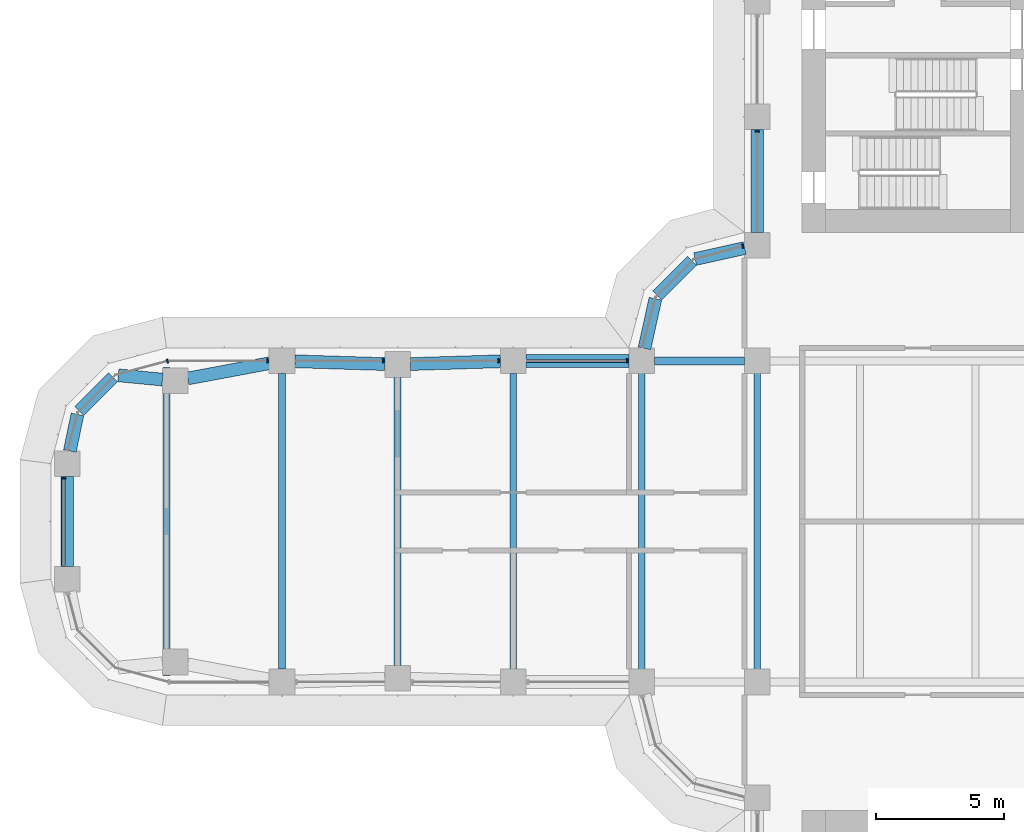
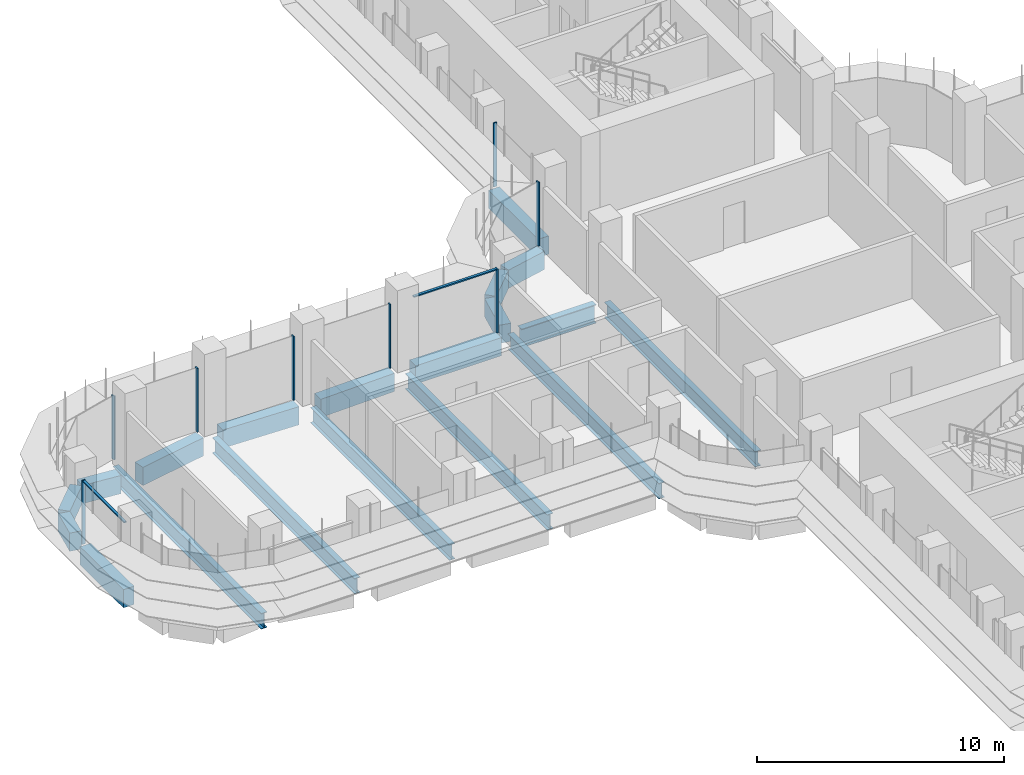
# One storey, part 6 of 23: 19 beams, 10 members, 5 elements without a shape of their own.
"""IFC4 building model written with IfcOpenShell, lengths in metres."""

import ifcopenshell
import ifcopenshell.guid

model = None  # the IFC model being written
_history = None  # IfcOwnerHistory: only IFC2X3 demands one
_inside = {}  # id of a spatial element -> (the spatial element, [elements in it])
_under = {}  # id of a project, library or spatial element -> (it, [spatial elements below it])
_declared = {}  # id of a project -> (the project, [libraries it declares])
_typed = {}  # id of a type object -> (the type object, [elements of that type])
_made_of = {}  # id of a material, layer set ... -> (it, [elements and type objects made of it])


def new_model(schema):
    """Start an empty IFC model of exactly this schema.

    Asked for "IFC4X3", IfcOpenShell would pick the latest addendum, in which some entities
    have other attributes; the version numbers below select the first issue.
    IFC2X3 requires an IfcOwnerHistory on every rooted entity: one is made here for all.
    """
    global model, _history
    if schema == "IFC4X3":
        model = ifcopenshell.file(schema_version=(4, 3, 0, 0))
    else:
        model = ifcopenshell.file(schema=schema)
    _inside.clear()
    _under.clear()
    _declared.clear()
    _typed.clear()
    _made_of.clear()
    _history = None
    if model.schema == "IFC2X3":
        org = make("IfcOrganization", Name="unknown")
        user = make(
            "IfcPersonAndOrganization",
            ThePerson=make("IfcPerson", FamilyName="unknown"),
            TheOrganization=org,
        )
        app = make(
            "IfcApplication",
            ApplicationDeveloper=org,
            Version="unknown",
            ApplicationFullName="unknown",
            ApplicationIdentifier="unknown",
        )
        _history = make(
            "IfcOwnerHistory",
            OwningUser=user,
            OwningApplication=app,
            ChangeAction="ADDED",
            CreationDate=0,
        )
    return model


def make(cls, **values):
    """One entity of the class cls with the attributes given. An attribute that is None is left unset."""
    return model.create_entity(
        cls, **{name: value for name, value in values.items() if value is not None}
    )


def rooted(cls, **values):
    """An entity with a GlobalId (a new one), such as an element, a storey or a relation."""
    return make(cls, GlobalId=ifcopenshell.guid.new(), OwnerHistory=_history, **values)


def si_unit(unit_type, name, prefix=None):
    """IfcSIUnit, for example si_unit("LENGTHUNIT", "METRE", prefix="MILLI")."""
    return make("IfcSIUnit", UnitType=unit_type, Prefix=prefix, Name=name)


def assignment(units):
    """IfcUnitAssignment: the units of a project."""
    return None if units is None else make("IfcUnitAssignment", Units=units)


def point(xyz):
    """IfcCartesianPoint."""
    return None if xyz is None else make("IfcCartesianPoint", Coordinates=xyz)


def direction(xyz):
    """IfcDirection."""
    return None if xyz is None else make("IfcDirection", DirectionRatios=xyz)


def frame(location, z_axis=None, x_axis=None):
    """IfcAxis2Placement3D, a coordinate frame: its origin and axes. An axis left out is left unset."""
    return make(
        "IfcAxis2Placement3D",
        Location=point(location),
        Axis=direction(z_axis),
        RefDirection=direction(x_axis),
    )


def frame_2d(location, x_axis=None):
    """IfcAxis2Placement2D, a coordinate frame in the plane: its origin and x axis."""
    return make(
        "IfcAxis2Placement2D", Location=point(location), RefDirection=direction(x_axis)
    )


def origin():
    """The frame at (0, 0, 0) with its axes left unset."""
    return frame((0.0, 0.0, 0.0))


def origin_2d():
    """The frame at (0, 0) in the plane with its x axis left unset."""
    return frame_2d((0.0, 0.0))


def place(relative_to, where):
    """IfcLocalPlacement: puts the frame where relative to a parent placement (None: the world)."""
    return make(
        "IfcLocalPlacement", PlacementRelTo=relative_to, RelativePlacement=where
    )


def context(
    kind, dimensions, precision=None, world=None, true_north=None, identifier=None
):
    """IfcGeometricRepresentationContext, for example the 3D "Model" context."""
    return make(
        "IfcGeometricRepresentationContext",
        ContextIdentifier=identifier,
        ContextType=kind,
        CoordinateSpaceDimension=dimensions,
        Precision=precision,
        WorldCoordinateSystem=world,
        TrueNorth=true_north,
    )


def subcontext(parent, identifier, kind, view, scale=None):
    """IfcGeometricRepresentationSubContext, for example "Body" below "Model"."""
    return make(
        "IfcGeometricRepresentationSubContext",
        ContextIdentifier=identifier,
        ContextType=kind,
        ParentContext=parent,
        TargetScale=scale,
        TargetView=view,
    )


def project(units=None, contexts=None):
    """IfcProject with its units and contexts."""
    return rooted(
        "IfcProject",
        Name="project",
        RepresentationContexts=contexts,
        UnitsInContext=assignment(units),
    )


def spatial(cls, under=None, at=None, **own):
    """A site, building, storey or space (cls), placed at a placement, below another one or the project."""
    s = rooted(cls, ObjectPlacement=at, **own)
    if under is not None:
        _under.setdefault(under.id(), (under, []))[1].append(s)
    return s


def polyline(points):
    """IfcPolyline through the points."""
    return make("IfcPolyline", Points=[point(p) for p in points])


def profile(cls, at=None, kind="AREA", **sizes):
    """A parametric profile (cls). Its sizes go by their IFC names, for example OverallWidth=200.0."""
    return make(cls, ProfileType=kind, Position=at, **sizes)


def rectangle(**sizes):
    """IfcRectangleProfileDef."""
    return profile("IfcRectangleProfileDef", **sizes)


def i_section(**sizes):
    """IfcIShapeProfileDef."""
    return profile("IfcIShapeProfileDef", **sizes)


def outline(outer, holes=None, kind="AREA"):
    """IfcArbitraryClosedProfileDef: a profile drawn as a closed curve; with holes, ...WithVoids."""
    if holes is None:
        return make("IfcArbitraryClosedProfileDef", ProfileType=kind, OuterCurve=outer)
    return make(
        "IfcArbitraryProfileDefWithVoids",
        ProfileType=kind,
        OuterCurve=outer,
        InnerCurves=holes,
    )


def extrude(swept, where, along, depth):
    """IfcExtrudedAreaSolid: the profile swept, set in the frame where, extruded along a direction by depth."""
    return make(
        "IfcExtrudedAreaSolid",
        SweptArea=swept,
        Position=where,
        ExtrudedDirection=direction(along),
        Depth=depth,
    )


def shape(context_of_items, identifier, shape_type, items):
    """IfcShapeRepresentation: the items that make up one representation, for example the "Body"."""
    return make(
        "IfcShapeRepresentation",
        ContextOfItems=context_of_items,
        RepresentationIdentifier=identifier,
        RepresentationType=shape_type,
        Items=items,
    )


def source(mapping_origin, context_of_items, identifier, shape_type, items):
    """IfcRepresentationMap: a shape defined once, which mapped items show again and again."""
    return make(
        "IfcRepresentationMap",
        MappingOrigin=mapping_origin,
        MappedRepresentation=shape(context_of_items, identifier, shape_type, items),
    )


def transform(
    local_origin,
    x_axis=None,
    y_axis=None,
    z_axis=None,
    scale=None,
    scale2=None,
    scale3=None,
    uniform=True,
):
    """IfcCartesianTransformationOperator3D, or its non-uniform kind. x_axis, y_axis, z_axis: its Axis1, 2, 3."""
    if uniform:
        return make(
            "IfcCartesianTransformationOperator3D",
            Axis1=direction(x_axis),
            Axis2=direction(y_axis),
            LocalOrigin=point(local_origin),
            Scale=scale,
            Axis3=direction(z_axis),
        )
    return make(
        "IfcCartesianTransformationOperator3DnonUniform",
        Axis1=direction(x_axis),
        Axis2=direction(y_axis),
        LocalOrigin=point(local_origin),
        Scale=scale,
        Axis3=direction(z_axis),
        Scale2=scale2,
        Scale3=scale3,
    )


def mapped(mapping_source, mapping_target):
    """IfcMappedItem: shows the shape of a source again, moved by a transform."""
    return make(
        "IfcMappedItem", MappingSource=mapping_source, MappingTarget=mapping_target
    )


def material(Name=None, Category=None):
    """IfcMaterial."""
    return make("IfcMaterial", Name=Name, Category=Category)


def material_profile(
    of_material, cross_section, Name=None, Category=None, Priority=None
):
    """IfcMaterialProfile: a cross section and its material."""
    return make(
        "IfcMaterialProfile",
        Name=Name,
        Material=of_material,
        Profile=cross_section,
        Priority=Priority,
        Category=Category,
    )


def profile_set(profiles, Name=None, composite=None):
    """IfcMaterialProfileSet."""
    return make(
        "IfcMaterialProfileSet",
        Name=Name,
        MaterialProfiles=profiles,
        CompositeProfile=composite,
    )


def made_of(thing, what):
    """Note that an element or type object is made of a material, layer set ...; save() writes the relation."""
    if what is not None:
        _made_of.setdefault(what.id(), (what, []))[1].append(thing)
    return thing


def type_object(cls, material=None, **own):
    """A type object (cls), such as IfcWallType, which elements share."""
    return made_of(rooted(cls, **own), material)


def element(
    cls,
    number,
    at=None,
    inside=None,
    cuts=None,
    type_object=None,
    material=None,
    context=None,
    identifier="Body",
    shape_type=None,
    held_by="IfcProductDefinitionShape",
    body=None,
    shapes=None,
    **own,
):
    """One element of the class cls, such as IfcWall. Its Tag is "e" and its number.

    at: its placement. inside: the storey or other place that contains it. cuts: it is an
    opening in that element (IfcRelVoidsElement). A single representation is given by context,
    identifier, shape_type and body (its items); several are given by shapes. held_by: the class
    of the entity that holds the representations. save() writes the other relations.
    """
    e = rooted(cls, Tag="e%d" % number, ObjectPlacement=at, **own)
    if body is not None:
        shapes = [shape(context, identifier, shape_type, body)]
    if shapes is not None:
        e.Representation = make(held_by, Representations=shapes)
    if inside is not None:
        _inside.setdefault(inside.id(), (inside, []))[1].append(e)
    if cuts is not None:
        rooted(
            "IfcRelVoidsElement", RelatingBuildingElement=cuts, RelatedOpeningElement=e
        )
    if type_object is not None:
        _typed.setdefault(type_object.id(), (type_object, []))[1].append(e)
    return made_of(e, material)


def aggregate(whole, parts):
    """IfcRelAggregates: a whole, such as a stair, and the parts it consists of."""
    return rooted("IfcRelAggregates", RelatingObject=whole, RelatedObjects=parts)


def save(model, path):
    """Write the relations noted so far, then the file.

    IfcRelAggregates (storeys below a building ...), IfcRelContainedInSpatialStructure (elements
    in a storey), IfcRelDefinesByType, IfcRelAssociatesMaterial and IfcRelDeclares: one each for
    every whole, place, type object, material and project.
    """
    for whole, parts in _under.values():
        aggregate(whole, parts)
    for where, things in _inside.values():
        rooted(
            "IfcRelContainedInSpatialStructure",
            RelatedElements=things,
            RelatingStructure=where,
        )
    for kind, things in _typed.values():
        rooted("IfcRelDefinesByType", RelatedObjects=things, RelatingType=kind)
    for what, things in _made_of.values():
        rooted("IfcRelAssociatesMaterial", RelatedObjects=things, RelatingMaterial=what)
    for by, libraries in _declared.values():
        rooted("IfcRelDeclares", RelatingContext=by, RelatedDefinitions=libraries)
    model.write(path)


model = new_model("IFC4")

# Units and contexts
model_context = context("Model", 3, precision=1e-05, world=origin(), true_north=direction((0.0, 1.0)))
body_context = subcontext(model_context, "Body", "Model", "MODEL_VIEW")
ifc_project = project(units=[si_unit("LENGTHUNIT", "METRE"), si_unit("AREAUNIT", "SQUARE_METRE"), si_unit("VOLUMEUNIT", "CUBIC_METRE"), si_unit("PLANEANGLEUNIT", "RADIAN"), si_unit("MASSUNIT", "GRAM", prefix="KILO")], contexts=[model_context])

# Site, building, storey
site_placement = place(None, origin())
site = spatial("IfcSite", under=ifc_project, at=site_placement, CompositionType="ELEMENT")
building_placement = place(site_placement, origin())
building = spatial("IfcBuilding", under=site, at=building_placement, Name="Zarbagh Exchange Tower", CompositionType="ELEMENT")
storey_placement = place(building_placement, frame((0.0, 0.0, 52.199951171875)))
storey = spatial("IfcBuildingStorey", under=building, at=storey_placement, Name="L11", CompositionType="ELEMENT", Elevation=52.199951171875)

# Beams
ifc_material_1 = material(Name="Steel ASTM A992 Gr 50", Category="steel")
ifc_material_profile_1 = material_profile(ifc_material_1, i_section(OverallWidth=0.2666015625, OverallDepth=0.76708984375, WebThickness=0.014892578125, FlangeThickness=0.023681640625, at=origin_2d()), Name="W30X124")
ifc_profile_set_1 = profile_set([ifc_material_profile_1], Name="Steel ASTM A992 Gr 50")
beam_type_1 = type_object("IfcBeamType", Name="Floor beam W30X124", PredefinedType="BEAM", material=ifc_profile_set_1)
for number, where, z_axis, x_axis, name in (
    (1, (-10.75, -6.09765625, -0.533447265625), (0.0, 1.0, 0.0), (-1.0, 0.0, 0.0), "Steel floor beam"),
    (2, (-6.25, -6.09765625, -0.533447265625), (0.0, 1.0, 0.0), (-1.0, 0.0, 0.0), "Steel floor beam"),
):
    element("IfcBeam", number, at=place(storey_placement, frame(where, z_axis=z_axis, x_axis=x_axis)), inside=storey, type_object=beam_type_1, Name=name, PredefinedType="BEAM", context=body_context, shape_type="SweptSolid", body=[
        extrude(i_section(OverallWidth=0.2666015625, OverallDepth=0.76708984375, WebThickness=0.014892578125, FlangeThickness=0.023681640625, at=origin_2d()), origin(), (0.0, 0.0, 1.0), 12.1953125),
    ])
beam_1_placement = place(storey_placement, frame((-15.75, -5.75, -0.533447265625), z_axis=(0.0, 1.0, 0.0), x_axis=(-1.0, 0.0, 0.0)))
element("IfcBeam", 3, at=beam_1_placement, inside=storey, type_object=beam_type_1, Name="Steel floor beam", PredefinedType="BEAM", context=body_context, shape_type="SweptSolid", body=[
    extrude(i_section(OverallWidth=0.2666015625, OverallDepth=0.76708984375, WebThickness=0.014892578125, FlangeThickness=0.023681640625, at=origin_2d()), origin(), (0.0, 0.0, 1.0), 11.5),
])
beam_2_placement = place(storey_placement, frame((-20.25, -5.610107421875, -0.533447265625), z_axis=(0.0, 1.0, 0.0), x_axis=(-1.0, 0.0, 0.0)))
element("IfcBeam", 4, at=beam_2_placement, inside=storey, type_object=beam_type_1, Name="Steel floor beam", PredefinedType="BEAM", context=body_context, shape_type="SweptSolid", body=[
    extrude(i_section(OverallWidth=0.2666015625, OverallDepth=0.76708984375, WebThickness=0.014892578125, FlangeThickness=0.023681640625, at=origin_2d()), origin(), (0.0, 0.0, 1.0), 11.22021484375),
])
beam_3_placement = place(storey_placement, frame((-24.75, -5.75, -0.533447265625), z_axis=(0.0, 1.0, 0.0), x_axis=(-1.0, 0.0, 0.0)))
element("IfcBeam", 5, at=beam_3_placement, inside=storey, type_object=beam_type_1, Name="Steel floor beam", PredefinedType="BEAM", context=body_context, shape_type="SweptSolid", body=[
    extrude(i_section(OverallWidth=0.2666015625, OverallDepth=0.76708984375, WebThickness=0.014892578125, FlangeThickness=0.023681640625, at=origin_2d()), origin(), (0.0, 0.0, 1.0), 11.5),
])
beam_4_placement = place(storey_placement, frame((-29.25, -6.0, -0.533447265625), z_axis=(0.0, 1.0, 0.0), x_axis=(-1.0, 0.0, 0.0)))
element("IfcBeam", 6, at=beam_4_placement, inside=storey, type_object=beam_type_1, Name="Steel floor beam", PredefinedType="BEAM", context=body_context, shape_type="SweptSolid", body=[
    extrude(i_section(OverallWidth=0.2666015625, OverallDepth=0.76708984375, WebThickness=0.014892578125, FlangeThickness=0.023681640625, at=origin_2d()), origin(), (0.0, 0.0, 1.0), 12.0),
])
ifc_material_profile_2 = material_profile(ifc_material_1, i_section(OverallWidth=0.3046875, OverallDepth=0.91943359375, WebThickness=0.017333984375, FlangeThickness=0.02783203125, at=origin_2d()), Name="W36X170")
ifc_profile_set_2 = profile_set([ifc_material_profile_2], Name="Steel ASTM A992 Gr 50")
beam_type_2 = type_object("IfcBeamType", Name="Floor girder W36X170", PredefinedType="BEAM", material=ifc_profile_set_2)
beam_5_placement = place(storey_placement, frame((-10.25, 6.25, -0.609619140625), z_axis=(1.0, 0.0, 0.0), x_axis=(0.0, 1.0, 0.0)))
element("IfcBeam", 7, at=beam_5_placement, inside=storey, type_object=beam_type_2, Name="Steel girder", PredefinedType="BEAM", context=body_context, shape_type="SweptSolid", body=[
    extrude(i_section(OverallWidth=0.3046875, OverallDepth=0.91943359375, WebThickness=0.017333984375, FlangeThickness=0.02783203125, at=origin_2d()), origin(), (0.0, 0.0, 1.0), 3.5),
])
ifc_material_2 = material(Name="Concrete C60/75", Category="concrete")
ifc_material_profile_3 = material_profile(ifc_material_2, rectangle(XDim=0.5, YDim=0.89990234375, at=origin_2d()), Name="RC spandrel beam 500 x 900 C60/75")
ifc_profile_set_3 = profile_set([ifc_material_profile_3], Name="Concrete C60/75")
beam_type_3 = type_object("IfcBeamType", Name="RC spandrel beam 500 x 900 C60/75", PredefinedType="SPANDREL", material=ifc_profile_set_3)
beam_6_placement = place(storey_placement, frame((-33.110107421875, -1.75, -0.599853515625), z_axis=(0.0, 1.0, 0.0), x_axis=(-1.0, 0.0, 0.0)))
element("IfcBeam", 8, at=beam_6_placement, inside=storey, type_object=beam_type_3, Name="RC spandrel beam", PredefinedType="SPANDREL", context=body_context, shape_type="SweptSolid", body=[
    extrude(rectangle(XDim=0.5, YDim=0.89990234375, at=origin_2d()), origin(), (0.0, 0.0, 1.0), 3.5),
])
beam_7_placement = place(storey_placement, frame((-33.0087890625, 2.73974609375, -0.599853515625), z_axis=(0.202068589164, 0.9793713725, 0.0), x_axis=(-0.9793713725, 0.202068589164, 0.0)))
element("IfcBeam", 9, at=beam_7_placement, inside=storey, type_object=beam_type_3, Name="RC spandrel beam", PredefinedType="SPANDREL", context=body_context, shape_type="SweptSolid", body=[
    extrude(rectangle(XDim=0.5, YDim=0.89990234375, at=origin_2d()), origin(), (0.0, 0.0, 1.0), 1.458251953125),
])
beam_8_placement = place(storey_placement, frame((-32.64599609375, 4.294189453125, -0.599853515625), z_axis=(0.707172099812, 0.707041456527, 0.0), x_axis=(-0.707041456527, 0.707172099812, 0.0)))
element("IfcBeam", 10, at=beam_8_placement, inside=storey, type_object=beam_type_3, Name="RC spandrel beam", PredefinedType="SPANDREL", context=body_context, shape_type="SweptSolid", body=[
    extrude(rectangle(XDim=0.5, YDim=0.89990234375, at=origin_2d()), origin(), (0.0, 0.0, 1.0), 1.86865234375),
])
beam_9_placement = place(storey_placement, frame((-31.123779296875, 5.6875, -0.599853515625), z_axis=(0.995431032456, -0.095483294999, 0.0), x_axis=(0.095483294999, 0.995431032456, 0.0)))
element("IfcBeam", 11, at=beam_9_placement, inside=storey, type_object=beam_type_3, Name="RC spandrel beam", PredefinedType="SPANDREL", context=body_context, shape_type="SweptSolid", body=[
    extrude(rectangle(XDim=0.5, YDim=0.89990234375, at=origin_2d()), origin(), (0.0, 0.0, 1.0), 1.725830078125),
])
beam_10_placement = place(storey_placement, frame((-28.41650390625, 5.566650390625, -0.599853515625), z_axis=(0.983069300761, 0.183234139565, 0.0), x_axis=(-0.183234139565, 0.983069300761, 0.0)))
element("IfcBeam", 12, at=beam_10_placement, inside=storey, type_object=beam_type_3, Name="RC spandrel beam", PredefinedType="SPANDREL", context=body_context, shape_type="SweptSolid", body=[
    extrude(rectangle(XDim=0.5, YDim=0.89990234375, at=origin_2d()), origin(), (0.0, 0.0, 1.0), 3.229736328125),
])
for number, where, z_axis, x_axis, name in (
    (13, (-24.250244140625, 6.234619140625, -0.599853515625), (0.999514385708, -0.031160756759, 0.0), (0.031160756759, 0.999514385708, 0.0), "RC spandrel beam"),
    (14, (-19.750244140625, 6.12548828125, -0.599853515625), (0.999514385708, 0.031160756759, 0.0), (-0.031160756759, 0.999514385708, 0.0), "RC spandrel beam"),
):
    element("IfcBeam", number, at=place(storey_placement, frame(where, z_axis=z_axis, x_axis=x_axis)), inside=storey, type_object=beam_type_3, Name=name, PredefinedType="SPANDREL", context=body_context, shape_type="SweptSolid", body=[
        extrude(rectangle(XDim=0.5, YDim=0.89990234375, at=origin_2d()), origin(), (0.0, 0.0, 1.0), 3.502197265625),
    ])
beam_11_placement = place(storey_placement, frame((-15.25, 6.25, -0.599853515625), z_axis=(1.0, 0.0, 0.0), x_axis=(0.0, 1.0, 0.0)))
element("IfcBeam", 15, at=beam_11_placement, inside=storey, type_object=beam_type_3, Name="RC spandrel beam", PredefinedType="SPANDREL", context=body_context, shape_type="SweptSolid", body=[
    extrude(rectangle(XDim=0.5, YDim=0.89990234375, at=origin_2d()), origin(), (0.0, 0.0, 1.0), 4.0),
])
beam_12_placement = place(storey_placement, frame((-10.64208984375, 6.73828125, -0.599853515625), z_axis=(0.216081063242, 0.976375426825, 0.0), x_axis=(-0.976375426825, 0.216081063242, 0.0)))
element("IfcBeam", 16, at=beam_12_placement, inside=storey, type_object=beam_type_3, Name="RC spandrel beam", PredefinedType="SPANDREL", context=body_context, shape_type="SweptSolid", body=[
    extrude(rectangle(XDim=0.5, YDim=0.89990234375, at=origin_2d()), origin(), (0.0, 0.0, 1.0), 1.978271484375),
])
beam_13_placement = place(storey_placement, frame((-10.147216796875, 8.792724609375, -0.599853515625), z_axis=(0.707106781187, 0.707106781187, 0.0), x_axis=(-0.707106781187, 0.707106781187, 0.0)))
element("IfcBeam", 17, at=beam_13_placement, inside=storey, type_object=beam_type_3, Name="RC spandrel beam", PredefinedType="SPANDREL", context=body_context, shape_type="SweptSolid", body=[
    extrude(rectangle(XDim=0.5, YDim=0.89990234375, at=origin_2d()), origin(), (0.0, 0.0, 1.0), 1.91552734375),
])
beam_14_placement = place(storey_placement, frame((-8.669921875, 10.214599609375, -0.599853515625), z_axis=(0.976375426825, 0.216081063242, 0.0), x_axis=(-0.216081063242, 0.976375426825, 0.0)))
element("IfcBeam", 18, at=beam_14_placement, inside=storey, type_object=beam_type_3, Name="RC spandrel beam", PredefinedType="SPANDREL", context=body_context, shape_type="SweptSolid", body=[
    extrude(rectangle(XDim=0.5, YDim=0.89990234375, at=origin_2d()), origin(), (0.0, 0.0, 1.0), 1.978271484375),
])
beam_15_placement = place(storey_placement, frame((-6.25, 11.25, -0.599853515625), z_axis=(0.0, 1.0, 0.0), x_axis=(-1.0, 0.0, 0.0)))
element("IfcBeam", 19, at=beam_15_placement, inside=storey, type_object=beam_type_3, Name="RC spandrel beam", PredefinedType="SPANDREL", context=body_context, shape_type="SweptSolid", body=[
    extrude(rectangle(XDim=0.5, YDim=0.89990234375, at=origin_2d()), origin(), (0.0, 0.0, 1.0), 4.0),
])

# Curtain wall, member
ifc_material_3 = material(Name="Anodised aluminium frame and glazing", Category="aluminium")
curtain_wall_type = type_object("IfcCurtainWallType", Name="CWA Ribbon glazing, lower zones", PredefinedType="NOTDEFINED", material=ifc_material_3)
curtain_wall_1_placement = place(storey_placement, origin())
curtain_wall_1 = element("IfcCurtainWall", 20, at=curtain_wall_1_placement, inside=storey, type_object=curtain_wall_type, Name="CWA28 curtain wall", PredefinedType="NOTDEFINED")
ifc_material_4 = material(Name="Anodised aluminium frame", Category="aluminium")
member_type_1 = type_object("IfcMemberType", Name="MUA Mullion, anodised aluminium frame", PredefinedType="MULLION", material=ifc_material_4)
shared_shape_1 = source(origin(), body_context, "Body", "SweptSolid", [
    extrude(outline(polyline([(0.0, -0.080078125), (0.06005859375, -0.080078125), (0.06005859375, 0.080078125), (0.0, 0.080078125), (0.0, -0.080078125)])), origin(), (0.0, 0.0, 1.0), 3.14990234375),
])
placement = place(storey_placement, origin())
member_1 = element("IfcMember", 21, at=placement, type_object=member_type_1, Name="CWA28 mullion 5.1", PredefinedType="MULLION", context=body_context, shape_type="MappedRepresentation", body=[
    mapped(shared_shape_1, transform((-6.25, 15.2099609375, 0.0), x_axis=(0.0, -1.0, 0.0), y_axis=(1.0, 0.0, 0.0), z_axis=(0.0, 0.0, 1.0))),
])
aggregate(curtain_wall_1, [member_1])

curtain_wall_2_placement = place(storey_placement, origin())
curtain_wall_2 = element("IfcCurtainWall", 22, at=curtain_wall_2_placement, inside=storey, type_object=curtain_wall_type, Name="CWA29 curtain wall", PredefinedType="NOTDEFINED")
member_2 = element("IfcMember", 23, at=placement, type_object=member_type_1, Name="CWA29 mullion 1.1", PredefinedType="MULLION", context=body_context, shape_type="MappedRepresentation", body=[
    mapped(shared_shape_1, transform((-6.7900390625, 10.7216796875, 0.0), x_axis=(-0.965924289636, -0.258824779902, 0.0), y_axis=(0.258824779902, -0.965924289636, 0.0), z_axis=(0.0, 0.0, 1.0))),
])
aggregate(curtain_wall_2, [member_2])

# Curtain wall, members
curtain_wall_3_placement = place(storey_placement, origin())
curtain_wall_3 = element("IfcCurtainWall", 24, at=curtain_wall_3_placement, inside=storey, type_object=curtain_wall_type, Name="CWA32 curtain wall", PredefinedType="NOTDEFINED")
member_3 = element("IfcMember", 25, at=placement, type_object=member_type_1, Name="CWA32 mullion 1.1", PredefinedType="MULLION", context=body_context, shape_type="MappedRepresentation", body=[
    mapped(shared_shape_1, transform((-11.2900390625, 6.25, 0.0), x_axis=(-1.0, 0.0, 0.0), y_axis=(0.0, -1.0, 0.0), z_axis=(0.0, 0.0, 1.0))),
])
member_4 = element("IfcMember", 26, at=placement, type_object=member_type_1, Name="CWA32 mullion 2.1", PredefinedType="MULLION", context=body_context, shape_type="MappedRepresentation", body=[
    mapped(shared_shape_1, transform((-16.2900390625, 6.25, 0.0), x_axis=(-1.0, 0.0, 0.0), y_axis=(0.0, -1.0, 0.0), z_axis=(0.0, 0.0, 1.0))),
])
member_5 = element("IfcMember", 27, at=placement, type_object=member_type_1, Name="CWA32 mullion 3.1", PredefinedType="MULLION", context=body_context, shape_type="MappedRepresentation", body=[
    mapped(shared_shape_1, transform((-20.7900390625, 6.25, 0.0), x_axis=(-1.0, 0.0, 0.0), y_axis=(0.0, -1.0, 0.0), z_axis=(0.0, 0.0, 1.0))),
])
member_6 = element("IfcMember", 28, at=placement, type_object=member_type_1, Name="CWA32 mullion 4.1", PredefinedType="MULLION", context=body_context, shape_type="MappedRepresentation", body=[
    mapped(shared_shape_1, transform((-25.2900390625, 6.25, 0.0), x_axis=(-1.0, 0.0, 0.0), y_axis=(0.0, -1.0, 0.0), z_axis=(0.0, 0.0, 1.0))),
])

# Curtain wall, member
curtain_wall_4_placement = place(storey_placement, origin())
curtain_wall_4 = element("IfcCurtainWall", 29, at=curtain_wall_4_placement, inside=storey, type_object=curtain_wall_type, Name="CWA33 curtain wall", PredefinedType="NOTDEFINED")
member_7 = element("IfcMember", 30, at=placement, type_object=member_type_1, Name="CWA33 mullion 1.1", PredefinedType="MULLION", context=body_context, shape_type="MappedRepresentation", body=[
    mapped(shared_shape_1, transform((-29.18408203125, 6.25, 0.0), x_axis=(-0.965924289636, -0.258824779902, 0.0), y_axis=(0.258824779902, -0.965924289636, 0.0), z_axis=(0.0, 0.0, 1.0))),
])
aggregate(curtain_wall_4, [member_7])

curtain_wall_5_placement = place(storey_placement, origin())
curtain_wall_5 = element("IfcCurtainWall", 31, at=curtain_wall_5_placement, inside=storey, type_object=curtain_wall_type, Name="CWA36 curtain wall", PredefinedType="NOTDEFINED")
member_8 = element("IfcMember", 32, at=placement, type_object=member_type_1, Name="CWA36 mullion 1.1", PredefinedType="MULLION", context=body_context, shape_type="MappedRepresentation", body=[
    mapped(shared_shape_1, transform((-33.25, 1.7099609375, 0.0), x_axis=(0.0, -1.0, 0.0), y_axis=(1.0, 0.0, 0.0), z_axis=(0.0, 0.0, 1.0))),
])

# Member
member_type_2 = type_object("IfcMemberType", Name="TRA Transom, anodised aluminium frame", PredefinedType="USERDEFINED", material=ifc_material_4)
shared_shape_2 = source(origin(), body_context, "Body", "SweptSolid", [
    extrude(outline(polyline([(-0.06005859375, -0.06005859375), (0.0, -0.06005859375), (0.0, 0.06005859375), (-0.06005859375, 0.06005859375), (-0.06005859375, -0.06005859375)])), origin(), (0.0, 0.0, 1.0), 3.860107421875),
])
member_9 = element("IfcMember", 33, at=placement, type_object=member_type_2, Name="CWA32 transom 1.1", ObjectType="TRANSOM", PredefinedType="USERDEFINED", context=body_context, shape_type="MappedRepresentation", body=[
    mapped(shared_shape_2, transform((-11.35009765625, 6.25, 3.150146484375), x_axis=(0.0, 0.0, 1.0), y_axis=(0.0, 1.0, 0.0), z_axis=(-1.0, 0.0, 0.0))),
])

aggregate(curtain_wall_3, [member_3, member_9, member_4, member_5, member_6])

shared_shape_3 = source(origin(), body_context, "Body", "SweptSolid", [
    extrude(outline(polyline([(-0.06005859375, -0.06005859375), (0.0, -0.06005859375), (0.0, 0.06005859375), (-0.06005859375, 0.06005859375), (-0.06005859375, -0.06005859375)])), origin(), (0.0, 0.0, 1.0), 3.360107421875),
])
member_10 = element("IfcMember", 34, at=placement, type_object=member_type_2, Name="CWA36 transom 1.1", ObjectType="TRANSOM", PredefinedType="USERDEFINED", context=body_context, shape_type="MappedRepresentation", body=[
    mapped(shared_shape_3, transform((-33.25, 1.64990234375, 3.150146484375), x_axis=(0.0, 0.0, 1.0), y_axis=(-1.0, 0.0, 0.0), z_axis=(0.0, -1.0, 0.0))),
])

aggregate(curtain_wall_5, [member_8, member_10])

save(model, "model.ifc")
